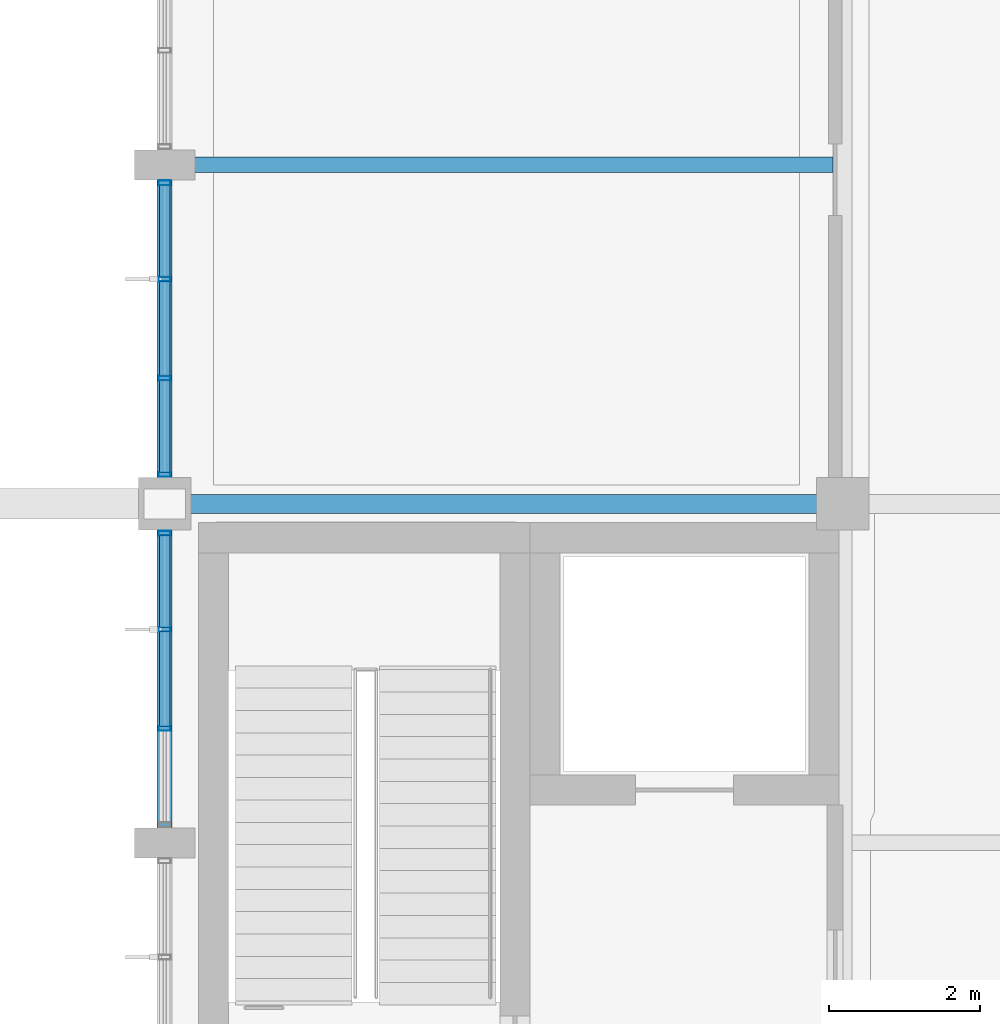
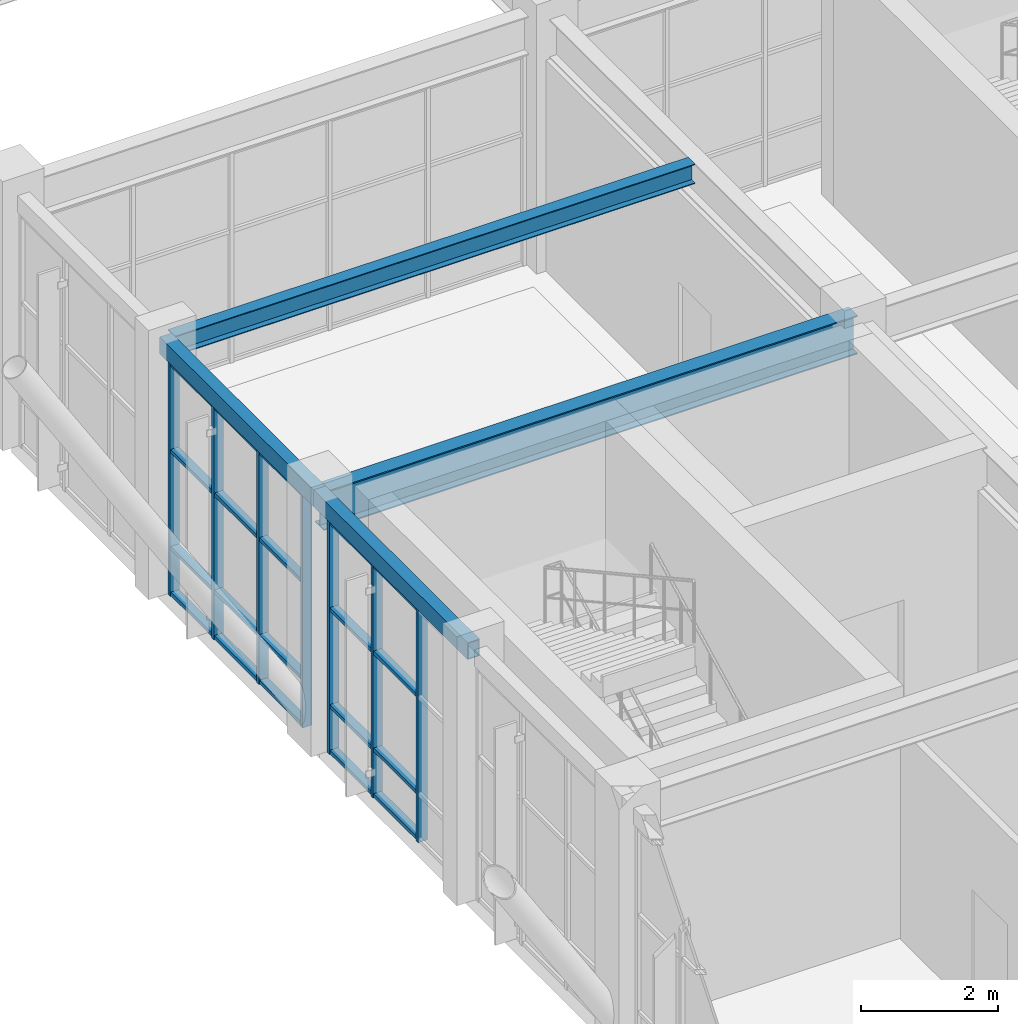
# One storey, part 25 of 104: 27 members, 4 beams, 2 elements without a shape of their own.
"""IFC4 building model written with IfcOpenShell, lengths in metres."""

from ifc_helpers import new_model, si_unit, direction, frame, origin, origin_2d, place, context, subcontext, project, spatial, hollow_rectangle, i_section, extrude, material, layer, layer_set, material_profile, profile_set, type_object, element, aggregate, save


model = new_model("IFC4")

# Units and contexts
model_context = context("Model", 3, precision=1e-05, world=origin(), true_north=direction((0.0, 1.0)))
body_context = subcontext(model_context, "Body", "Model", "MODEL_VIEW")
ifc_project = project(units=[si_unit("LENGTHUNIT", "METRE"), si_unit("AREAUNIT", "SQUARE_METRE"), si_unit("VOLUMEUNIT", "CUBIC_METRE"), si_unit("PLANEANGLEUNIT", "RADIAN"), si_unit("MASSUNIT", "GRAM", prefix="KILO")], contexts=[model_context])

# Site, building, storey
site_placement = place(None, origin())
site = spatial("IfcSite", under=ifc_project, at=site_placement, CompositionType="ELEMENT")
building_placement = place(site_placement, origin())
building = spatial("IfcBuilding", under=site, at=building_placement, Name="Ventoquebrada Cableway Terminal", CompositionType="ELEMENT")
storey_placement = place(building_placement, frame((0.0, 0.0, 4.800048828125)))
storey = spatial("IfcBuildingStorey", under=building, at=storey_placement, Name="L01", CompositionType="ELEMENT", Elevation=4.800048828125)

# Beam
ifc_material_1 = material(Name="Steel ASTM A992 Grade 50", Category="steel")
ifc_material_profile_1 = material_profile(ifc_material_1, i_section(OverallWidth=0.25390625, OverallDepth=0.68798828125, WebThickness=0.01318359375, FlangeThickness=0.02099609375, at=origin_2d()), Name="W27X102")
ifc_profile_set_1 = profile_set([ifc_material_profile_1], Name="Steel ASTM A992 Grade 50")
beam_type_1 = type_object("IfcBeamType", Name="BM-ST04", PredefinedType="BEAM", material=ifc_profile_set_1)
beam_1_placement = place(storey_placement, frame((8.199951171875, 86.0, 4.120849609375), z_axis=(1.0, 0.0, 0.0), x_axis=(0.0, 1.0, 0.0)))
element("IfcBeam", 1, at=beam_1_placement, inside=storey, type_object=beam_type_1, Name="Primary frame girder FBM-0389", PredefinedType="BEAM", context=body_context, shape_type="SweptSolid", body=[
    extrude(i_section(OverallWidth=0.25390625, OverallDepth=0.68798828125, WebThickness=0.01318359375, FlangeThickness=0.02099609375, at=origin_2d()), origin(), (0.0, 0.0, 1.0), 9.0),
])

# Curtain wall, members
ifc_material_2 = material(Name="Anodized thermally-broken aluminium", Category="aluminium")
ifc_layer = layer(ifc_material_2, 0.159912109375)
ifc_layer_set = layer_set([ifc_layer], Name="Anodized thermally-broken aluminium")
curtain_wall_type = type_object("IfcCurtainWallType", Name="CW-T17", PredefinedType="USERDEFINED", material=ifc_layer_set)
curtain_wall_1_placement = place(storey_placement, origin())
curtain_wall_1 = element("IfcCurtainWall", 2, at=curtain_wall_1_placement, inside=storey, type_object=curtain_wall_type, Name="Unitised glazed curtain wall CW-036", ObjectType="UNITISED CURTAIN WALL", PredefinedType="USERDEFINED")
ifc_material_profile_2 = material_profile(ifc_material_2, hollow_rectangle(XDim=0.06494140625, YDim=0.159912109375, WallThickness=0.00390625, at=origin_2d()), Name="CW-MUL-65X160")
ifc_profile_set_2 = profile_set([ifc_material_profile_2], Name="Anodized thermally-broken aluminium")
member_type_1 = type_object("IfcMemberType", Name="CWM-01", PredefinedType="MULLION", material=ifc_profile_set_2)
member_1_placement = place(storey_placement, frame((8.199951171875, 85.610107421875, -0.008056640625), z_axis=(0.0, 0.0, 1.0), x_axis=(0.0, -1.0, 0.0)))
member_1 = element("IfcMember", 3, at=member_1_placement, type_object=member_type_1, Name="Curtain wall mullion FML-0162", PredefinedType="MULLION", context=body_context, shape_type="SweptSolid", body=[
    extrude(hollow_rectangle(XDim=0.06494140625, YDim=0.159912109375, WallThickness=0.00390625, at=origin_2d()), origin(), (0.0, 0.0, 1.0), 4.173095703125),
])
member_2_placement = place(storey_placement, frame((8.199951171875, 84.33203125, -0.008056640625), z_axis=(0.0, 0.0, 1.0), x_axis=(0.0, -1.0, 0.0)))
member_2 = element("IfcMember", 4, at=member_2_placement, type_object=member_type_1, Name="Curtain wall mullion FML-0163", PredefinedType="MULLION", context=body_context, shape_type="SweptSolid", body=[
    extrude(hollow_rectangle(XDim=0.06494140625, YDim=0.159912109375, WallThickness=0.00390625, at=origin_2d()), origin(), (0.0, 0.0, 1.0), 4.173095703125),
])
member_3_placement = place(storey_placement, frame((8.199951171875, 83.01806640625, -0.008056640625), z_axis=(0.0, 0.0, 1.0), x_axis=(0.0, -1.0, 0.0)))
member_3 = element("IfcMember", 5, at=member_3_placement, type_object=member_type_1, Name="Curtain wall mullion FML-0164", PredefinedType="MULLION", context=body_context, shape_type="SweptSolid", body=[
    extrude(hollow_rectangle(XDim=0.06494140625, YDim=0.159912109375, WallThickness=0.00390625, at=origin_2d()), origin(), (0.0, 0.0, 1.0), 4.173095703125),
])

curtain_wall_2_placement = place(storey_placement, origin())
curtain_wall_2 = element("IfcCurtainWall", 6, at=curtain_wall_2_placement, inside=storey, type_object=curtain_wall_type, Name="Unitised glazed curtain wall CW-039", ObjectType="UNITISED CURTAIN WALL", PredefinedType="USERDEFINED")
member_4_placement = place(storey_placement, frame((8.199951171875, 90.260009765625, -0.008056640625), z_axis=(0.0, 0.0, 1.0), x_axis=(0.0, -1.0, 0.0)))
member_4 = element("IfcMember", 7, at=member_4_placement, type_object=member_type_1, Name="Curtain wall mullion FML-0174", PredefinedType="MULLION", context=body_context, shape_type="SweptSolid", body=[
    extrude(hollow_rectangle(XDim=0.06494140625, YDim=0.159912109375, WallThickness=0.00390625, at=origin_2d()), origin(), (0.0, 0.0, 1.0), 4.173095703125),
])
member_5_placement = place(storey_placement, frame((8.199951171875, 88.98193359375, -0.008056640625), z_axis=(0.0, 0.0, 1.0), x_axis=(0.0, -1.0, 0.0)))
member_5 = element("IfcMember", 8, at=member_5_placement, type_object=member_type_1, Name="Curtain wall mullion FML-0175", PredefinedType="MULLION", context=body_context, shape_type="SweptSolid", body=[
    extrude(hollow_rectangle(XDim=0.06494140625, YDim=0.159912109375, WallThickness=0.00390625, at=origin_2d()), origin(), (0.0, 0.0, 1.0), 4.173095703125),
])
member_6_placement = place(storey_placement, frame((8.199951171875, 87.66796875, -0.008056640625), z_axis=(0.0, 0.0, 1.0), x_axis=(0.0, -1.0, 0.0)))
member_6 = element("IfcMember", 9, at=member_6_placement, type_object=member_type_1, Name="Curtain wall mullion FML-0176", PredefinedType="MULLION", context=body_context, shape_type="SweptSolid", body=[
    extrude(hollow_rectangle(XDim=0.06494140625, YDim=0.159912109375, WallThickness=0.00390625, at=origin_2d()), origin(), (0.0, 0.0, 1.0), 4.173095703125),
])
member_7_placement = place(storey_placement, frame((8.199951171875, 86.389892578125, -0.008056640625), z_axis=(0.0, 0.0, 1.0), x_axis=(0.0, -1.0, 0.0)))
member_7 = element("IfcMember", 10, at=member_7_placement, type_object=member_type_1, Name="Curtain wall mullion FML-0177", PredefinedType="MULLION", context=body_context, shape_type="SweptSolid", body=[
    extrude(hollow_rectangle(XDim=0.06494140625, YDim=0.159912109375, WallThickness=0.00390625, at=origin_2d()), origin(), (0.0, 0.0, 1.0), 4.173095703125),
])

# Member
ifc_material_profile_3 = material_profile(ifc_material_2, hollow_rectangle(XDim=0.06494140625, YDim=0.139892578125, WallThickness=0.00390625, at=origin_2d()), Name="CW-TRN-65X140")
ifc_profile_set_3 = profile_set([ifc_material_profile_3], Name="Anodized thermally-broken aluminium")
member_type_2 = type_object("IfcMemberType", Name="CWT-01", PredefinedType="USERDEFINED", material=ifc_profile_set_3)
member_8_placement = place(storey_placement, frame((8.199951171875, 85.58203125, 0.034912109375), z_axis=(0.0, -1.0, 0.0), x_axis=(0.0, 0.0, 1.0)))
member_8 = element("IfcMember", 11, at=member_8_placement, type_object=member_type_2, Name="Curtain wall transom FTR-0483", ObjectType="TRANSOM", PredefinedType="USERDEFINED", context=body_context, shape_type="SweptSolid", body=[
    extrude(hollow_rectangle(XDim=0.06494140625, YDim=0.139892578125, WallThickness=0.00390625, at=origin_2d()), origin(), (0.0, 0.0, 1.0), 1.22314453125),
])

member_9_placement = place(storey_placement, frame((8.199951171875, 85.58203125, 0.849853515625), z_axis=(0.0, -1.0, 0.0), x_axis=(0.0, 0.0, 1.0)))
member_9 = element("IfcMember", 12, at=member_9_placement, type_object=member_type_2, Name="Curtain wall transom FTR-0484", ObjectType="TRANSOM", PredefinedType="USERDEFINED", context=body_context, shape_type="SweptSolid", body=[
    extrude(hollow_rectangle(XDim=0.06494140625, YDim=0.139892578125, WallThickness=0.00390625, at=origin_2d()), origin(), (0.0, 0.0, 1.0), 1.22314453125),
])

member_10_placement = place(storey_placement, frame((8.199951171875, 85.58203125, 2.578857421875), z_axis=(0.0, -1.0, 0.0), x_axis=(0.0, 0.0, 1.0)))
member_10 = element("IfcMember", 13, at=member_10_placement, type_object=member_type_2, Name="Curtain wall transom FTR-0485", ObjectType="TRANSOM", PredefinedType="USERDEFINED", context=body_context, shape_type="SweptSolid", body=[
    extrude(hollow_rectangle(XDim=0.06494140625, YDim=0.139892578125, WallThickness=0.00390625, at=origin_2d()), origin(), (0.0, 0.0, 1.0), 1.22314453125),
])

member_11_placement = place(storey_placement, frame((8.199951171875, 85.58203125, 4.125), z_axis=(0.0, -1.0, 0.0), x_axis=(0.0, 0.0, 1.0)))
member_11 = element("IfcMember", 14, at=member_11_placement, type_object=member_type_2, Name="Curtain wall transom FTR-0486", ObjectType="TRANSOM", PredefinedType="USERDEFINED", context=body_context, shape_type="SweptSolid", body=[
    extrude(hollow_rectangle(XDim=0.06494140625, YDim=0.139892578125, WallThickness=0.00390625, at=origin_2d()), origin(), (0.0, 0.0, 1.0), 1.22314453125),
])

member_12_placement = place(storey_placement, frame((8.199951171875, 84.303955078125, 0.034912109375), z_axis=(0.0, -1.0, 0.0), x_axis=(0.0, 0.0, 1.0)))
member_12 = element("IfcMember", 15, at=member_12_placement, type_object=member_type_2, Name="Curtain wall transom FTR-0487", ObjectType="TRANSOM", PredefinedType="USERDEFINED", context=body_context, shape_type="SweptSolid", body=[
    extrude(hollow_rectangle(XDim=0.06494140625, YDim=0.139892578125, WallThickness=0.00390625, at=origin_2d()), origin(), (0.0, 0.0, 1.0), 1.258056640625),
])

member_13_placement = place(storey_placement, frame((8.199951171875, 84.303955078125, 0.849853515625), z_axis=(0.0, -1.0, 0.0), x_axis=(0.0, 0.0, 1.0)))
member_13 = element("IfcMember", 16, at=member_13_placement, type_object=member_type_2, Name="Curtain wall transom FTR-0488", ObjectType="TRANSOM", PredefinedType="USERDEFINED", context=body_context, shape_type="SweptSolid", body=[
    extrude(hollow_rectangle(XDim=0.06494140625, YDim=0.139892578125, WallThickness=0.00390625, at=origin_2d()), origin(), (0.0, 0.0, 1.0), 1.258056640625),
])

member_14_placement = place(storey_placement, frame((8.199951171875, 84.303955078125, 2.578857421875), z_axis=(0.0, -1.0, 0.0), x_axis=(0.0, 0.0, 1.0)))
member_14 = element("IfcMember", 17, at=member_14_placement, type_object=member_type_2, Name="Curtain wall transom FTR-0489", ObjectType="TRANSOM", PredefinedType="USERDEFINED", context=body_context, shape_type="SweptSolid", body=[
    extrude(hollow_rectangle(XDim=0.06494140625, YDim=0.139892578125, WallThickness=0.00390625, at=origin_2d()), origin(), (0.0, 0.0, 1.0), 1.258056640625),
])

member_15_placement = place(storey_placement, frame((8.199951171875, 84.303955078125, 4.125), z_axis=(0.0, -1.0, 0.0), x_axis=(0.0, 0.0, 1.0)))
member_15 = element("IfcMember", 18, at=member_15_placement, type_object=member_type_2, Name="Curtain wall transom FTR-0490", ObjectType="TRANSOM", PredefinedType="USERDEFINED", context=body_context, shape_type="SweptSolid", body=[
    extrude(hollow_rectangle(XDim=0.06494140625, YDim=0.139892578125, WallThickness=0.00390625, at=origin_2d()), origin(), (0.0, 0.0, 1.0), 1.258056640625),
])

aggregate(curtain_wall_1, [member_1, member_2, member_3, member_8, member_9, member_10, member_11, member_12, member_13, member_14, member_15])

member_16_placement = place(storey_placement, frame((8.199951171875, 90.23291015625, 0.034912109375), z_axis=(0.0, -1.0, 0.0), x_axis=(0.0, 0.0, 1.0)))
member_16 = element("IfcMember", 19, at=member_16_placement, type_object=member_type_2, Name="Curtain wall transom FTR-0519", ObjectType="TRANSOM", PredefinedType="USERDEFINED", context=body_context, shape_type="SweptSolid", body=[
    extrude(hollow_rectangle(XDim=0.06494140625, YDim=0.139892578125, WallThickness=0.00390625, at=origin_2d()), origin(), (0.0, 0.0, 1.0), 1.223876953125),
])

member_17_placement = place(storey_placement, frame((8.199951171875, 90.23291015625, 0.849853515625), z_axis=(0.0, -1.0, 0.0), x_axis=(0.0, 0.0, 1.0)))
member_17 = element("IfcMember", 20, at=member_17_placement, type_object=member_type_2, Name="Curtain wall transom FTR-0520", ObjectType="TRANSOM", PredefinedType="USERDEFINED", context=body_context, shape_type="SweptSolid", body=[
    extrude(hollow_rectangle(XDim=0.06494140625, YDim=0.139892578125, WallThickness=0.00390625, at=origin_2d()), origin(), (0.0, 0.0, 1.0), 1.223876953125),
])

member_18_placement = place(storey_placement, frame((8.199951171875, 90.23291015625, 2.578857421875), z_axis=(0.0, -1.0, 0.0), x_axis=(0.0, 0.0, 1.0)))
member_18 = element("IfcMember", 21, at=member_18_placement, type_object=member_type_2, Name="Curtain wall transom FTR-0521", ObjectType="TRANSOM", PredefinedType="USERDEFINED", context=body_context, shape_type="SweptSolid", body=[
    extrude(hollow_rectangle(XDim=0.06494140625, YDim=0.139892578125, WallThickness=0.00390625, at=origin_2d()), origin(), (0.0, 0.0, 1.0), 1.223876953125),
])

member_19_placement = place(storey_placement, frame((8.199951171875, 90.23291015625, 4.125), z_axis=(0.0, -1.0, 0.0), x_axis=(0.0, 0.0, 1.0)))
member_19 = element("IfcMember", 22, at=member_19_placement, type_object=member_type_2, Name="Curtain wall transom FTR-0522", ObjectType="TRANSOM", PredefinedType="USERDEFINED", context=body_context, shape_type="SweptSolid", body=[
    extrude(hollow_rectangle(XDim=0.06494140625, YDim=0.139892578125, WallThickness=0.00390625, at=origin_2d()), origin(), (0.0, 0.0, 1.0), 1.223876953125),
])

member_20_placement = place(storey_placement, frame((8.199951171875, 88.9541015625, 0.034912109375), z_axis=(0.0, -1.0, 0.0), x_axis=(0.0, 0.0, 1.0)))
member_20 = element("IfcMember", 23, at=member_20_placement, type_object=member_type_2, Name="Curtain wall transom FTR-0523", ObjectType="TRANSOM", PredefinedType="USERDEFINED", context=body_context, shape_type="SweptSolid", body=[
    extrude(hollow_rectangle(XDim=0.06494140625, YDim=0.139892578125, WallThickness=0.00390625, at=origin_2d()), origin(), (0.0, 0.0, 1.0), 1.258056640625),
])

member_21_placement = place(storey_placement, frame((8.199951171875, 88.9541015625, 0.849853515625), z_axis=(0.0, -1.0, 0.0), x_axis=(0.0, 0.0, 1.0)))
member_21 = element("IfcMember", 24, at=member_21_placement, type_object=member_type_2, Name="Curtain wall transom FTR-0524", ObjectType="TRANSOM", PredefinedType="USERDEFINED", context=body_context, shape_type="SweptSolid", body=[
    extrude(hollow_rectangle(XDim=0.06494140625, YDim=0.139892578125, WallThickness=0.00390625, at=origin_2d()), origin(), (0.0, 0.0, 1.0), 1.258056640625),
])

member_22_placement = place(storey_placement, frame((8.199951171875, 88.9541015625, 2.578857421875), z_axis=(0.0, -1.0, 0.0), x_axis=(0.0, 0.0, 1.0)))
member_22 = element("IfcMember", 25, at=member_22_placement, type_object=member_type_2, Name="Curtain wall transom FTR-0525", ObjectType="TRANSOM", PredefinedType="USERDEFINED", context=body_context, shape_type="SweptSolid", body=[
    extrude(hollow_rectangle(XDim=0.06494140625, YDim=0.139892578125, WallThickness=0.00390625, at=origin_2d()), origin(), (0.0, 0.0, 1.0), 1.258056640625),
])

member_23_placement = place(storey_placement, frame((8.199951171875, 88.9541015625, 4.125), z_axis=(0.0, -1.0, 0.0), x_axis=(0.0, 0.0, 1.0)))
member_23 = element("IfcMember", 26, at=member_23_placement, type_object=member_type_2, Name="Curtain wall transom FTR-0526", ObjectType="TRANSOM", PredefinedType="USERDEFINED", context=body_context, shape_type="SweptSolid", body=[
    extrude(hollow_rectangle(XDim=0.06494140625, YDim=0.139892578125, WallThickness=0.00390625, at=origin_2d()), origin(), (0.0, 0.0, 1.0), 1.258056640625),
])

member_24_placement = place(storey_placement, frame((8.199951171875, 87.64111328125, 0.034912109375), z_axis=(0.0, -1.0, 0.0), x_axis=(0.0, 0.0, 1.0)))
member_24 = element("IfcMember", 27, at=member_24_placement, type_object=member_type_2, Name="Curtain wall transom FTR-0527", ObjectType="TRANSOM", PredefinedType="USERDEFINED", context=body_context, shape_type="SweptSolid", body=[
    extrude(hollow_rectangle(XDim=0.06494140625, YDim=0.139892578125, WallThickness=0.00390625, at=origin_2d()), origin(), (0.0, 0.0, 1.0), 1.22314453125),
])

member_25_placement = place(storey_placement, frame((8.199951171875, 87.64111328125, 0.849853515625), z_axis=(0.0, -1.0, 0.0), x_axis=(0.0, 0.0, 1.0)))
member_25 = element("IfcMember", 28, at=member_25_placement, type_object=member_type_2, Name="Curtain wall transom FTR-0528", ObjectType="TRANSOM", PredefinedType="USERDEFINED", context=body_context, shape_type="SweptSolid", body=[
    extrude(hollow_rectangle(XDim=0.06494140625, YDim=0.139892578125, WallThickness=0.00390625, at=origin_2d()), origin(), (0.0, 0.0, 1.0), 1.22314453125),
])

member_26_placement = place(storey_placement, frame((8.199951171875, 87.64111328125, 2.578857421875), z_axis=(0.0, -1.0, 0.0), x_axis=(0.0, 0.0, 1.0)))
member_26 = element("IfcMember", 29, at=member_26_placement, type_object=member_type_2, Name="Curtain wall transom FTR-0529", ObjectType="TRANSOM", PredefinedType="USERDEFINED", context=body_context, shape_type="SweptSolid", body=[
    extrude(hollow_rectangle(XDim=0.06494140625, YDim=0.139892578125, WallThickness=0.00390625, at=origin_2d()), origin(), (0.0, 0.0, 1.0), 1.22314453125),
])

member_27_placement = place(storey_placement, frame((8.199951171875, 87.64111328125, 4.125), z_axis=(0.0, -1.0, 0.0), x_axis=(0.0, 0.0, 1.0)))
member_27 = element("IfcMember", 30, at=member_27_placement, type_object=member_type_2, Name="Curtain wall transom FTR-0530", ObjectType="TRANSOM", PredefinedType="USERDEFINED", context=body_context, shape_type="SweptSolid", body=[
    extrude(hollow_rectangle(XDim=0.06494140625, YDim=0.139892578125, WallThickness=0.00390625, at=origin_2d()), origin(), (0.0, 0.0, 1.0), 1.22314453125),
])

aggregate(curtain_wall_2, [member_4, member_5, member_6, member_7, member_16, member_17, member_18, member_19, member_20, member_21, member_22, member_23, member_24, member_25, member_26, member_27])

# Beams
ifc_material_profile_4 = material_profile(ifc_material_1, i_section(OverallWidth=0.2041015625, OverallDepth=0.35009765625, WebThickness=0.008544921875, FlangeThickness=0.01513671875, at=origin_2d()), Name="W14X48")
ifc_profile_set_4 = profile_set([ifc_material_profile_4], Name="Steel ASTM A992 Grade 50")
beam_type_2 = type_object("IfcBeamType", Name="JST-ST05", PredefinedType="JOIST", material=ifc_profile_set_4)
beam_2_placement = place(storey_placement, frame((8.300048828125, 90.5, 4.2900390625), z_axis=(1.0, 0.0, 0.0), x_axis=(0.0, 1.0, 0.0)))
element("IfcBeam", 31, at=beam_2_placement, inside=storey, type_object=beam_type_2, Name="Secondary floor joist JB-011", PredefinedType="JOIST", context=body_context, shape_type="SweptSolid", body=[
    extrude(i_section(OverallWidth=0.2041015625, OverallDepth=0.35009765625, WebThickness=0.008544921875, FlangeThickness=0.01513671875, at=origin_2d()), origin(), (0.0, 0.0, 1.0), 8.77294921875),
])
ifc_material_3 = material(Name="Steel ASTM A500 Grade C", Category="steel")
ifc_material_profile_5 = material_profile(ifc_material_3, hollow_rectangle(XDim=0.199951171875, YDim=0.300048828125, WallThickness=0.012451171875, at=origin_2d()), Name="RHS300X200X12.5")
ifc_profile_set_5 = profile_set([ifc_material_profile_5], Name="Steel ASTM A500 Grade C")
beam_type_3 = type_object("IfcBeamType", Name="SP-ST02", PredefinedType="SPANDREL", material=ifc_profile_set_5)
for number, where, z_axis, x_axis, name in (
    (32, (8.199951171875, 81.5, 4.31494140625), (0.0, 1.0, 0.0), (-1.0, 0.0, 0.0), "Perimeter spandrel beam FBM-0408"),
    (33, (8.199951171875, 86.0, 4.31494140625), (0.0, 1.0, 0.0), (-1.0, 0.0, 0.0), "Perimeter spandrel beam FBM-0409"),
):
    element("IfcBeam", number, at=place(storey_placement, frame(where, z_axis=z_axis, x_axis=x_axis)), inside=storey, type_object=beam_type_3, Name=name, PredefinedType="SPANDREL", context=body_context, shape_type="SweptSolid", body=[
        extrude(hollow_rectangle(XDim=0.199951171875, YDim=0.300048828125, WallThickness=0.012451171875, at=origin_2d()), origin(), (0.0, 0.0, 1.0), 4.5),
    ])

save(model, "model.ifc")
